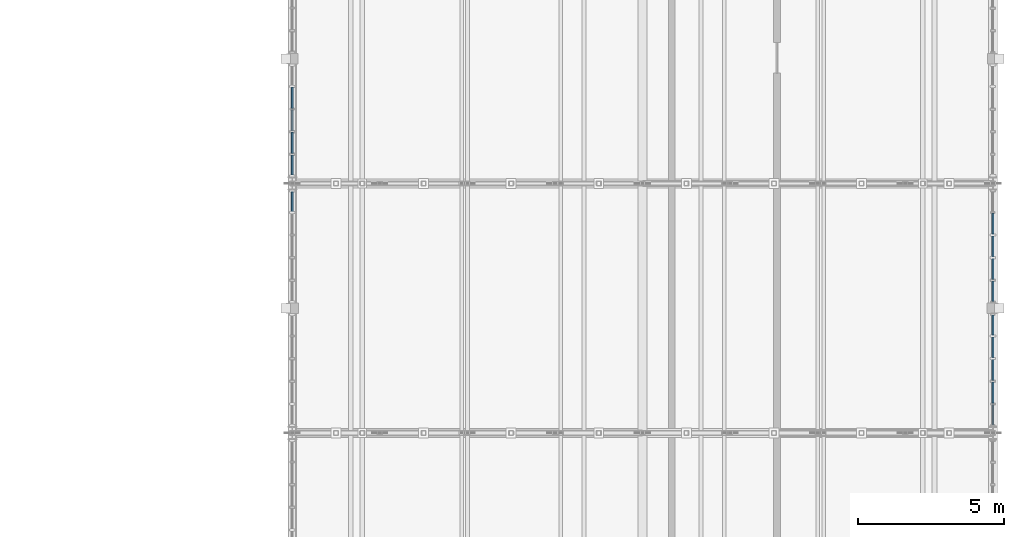
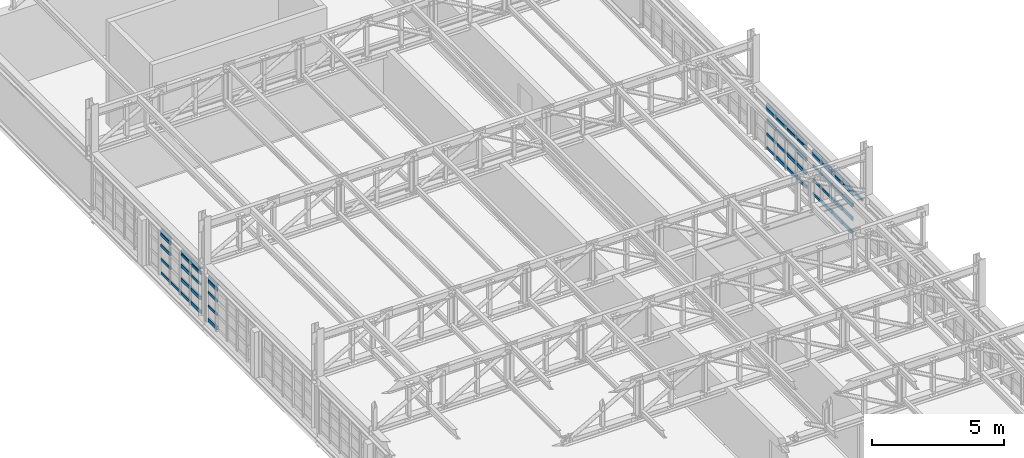
# One storey, part 81 of 128: 62 members, 4 elements without a shape of their own.
"""IFC4 building model written with IfcOpenShell, lengths in metres."""

from ifc_helpers import new_model, si_unit, direction, frame, origin, origin_2d, place, context, subcontext, project, spatial, rectangle, extrude, material, material_profile, profile_set, type_object, element, aggregate, save


model = new_model("IFC4")

# Units and contexts
model_context = context("Model", 3, precision=1e-05, world=origin(), true_north=direction((0.0, 1.0)))
body_context = subcontext(model_context, "Body", "Model", "MODEL_VIEW")
ifc_project = project(units=[si_unit("LENGTHUNIT", "METRE"), si_unit("AREAUNIT", "SQUARE_METRE"), si_unit("VOLUMEUNIT", "CUBIC_METRE"), si_unit("PLANEANGLEUNIT", "RADIAN"), si_unit("MASSUNIT", "GRAM", prefix="KILO")], contexts=[model_context])

# Site, building, storey
site_placement = place(None, origin())
site = spatial("IfcSite", under=ifc_project, at=site_placement, CompositionType="ELEMENT")
building_placement = place(site_placement, origin())
building = spatial("IfcBuilding", under=site, at=building_placement, Name="Serraforn Aerial Cableway Station", CompositionType="ELEMENT")
storey_placement = place(building_placement, frame((0.0, 0.0, 9.0)))
storey = spatial("IfcBuildingStorey", under=building, at=storey_placement, Name="L02", CompositionType="ELEMENT", Elevation=9.0)

# Curtain wall, member
ifc_material_1 = material(Name="Anodised bronze unitised curtain wall")
curtain_wall_type_1 = type_object("IfcCurtainWallType", Name="CW-SYS-7", PredefinedType="USERDEFINED", material=ifc_material_1)
curtain_wall_1_placement = place(storey_placement, origin())
curtain_wall_1 = element("IfcCurtainWall", 1, at=curtain_wall_1_placement, inside=storey, type_object=curtain_wall_type_1, Name="Unitised Curtain Wall CW-EG-L02-W6A", ObjectType="UNITISED CURTAIN WALL", PredefinedType="USERDEFINED")
ifc_material_2 = material(Name="Anodised bronze extruded aluminium", Category="aluminium")
ifc_material_profile_1 = material_profile(ifc_material_2, rectangle(XDim=0.054931640625, YDim=0.110107421875, at=origin_2d()), Name="CW TRANSOM 55x110")
ifc_profile_set_1 = profile_set([ifc_material_profile_1], Name="Anodised bronze extruded aluminium")
member_type_1 = type_object("IfcMemberType", Name="CW-TRN-1", PredefinedType="USERDEFINED", material=ifc_profile_set_1)
member_1_placement = place(storey_placement, frame((144.0, 96.60888671875, 0.720703125), z_axis=(0.0, -1.0, 0.0), x_axis=(1.0, 0.0, 0.0)))
member_1 = element("IfcMember", 2, at=member_1_placement, type_object=member_type_1, Name="Curtain Wall Transom CW-EG-L02-W6A-T1-2", ObjectType="TRANSOM", PredefinedType="USERDEFINED", context=body_context, shape_type="SweptSolid", body=[
    extrude(rectangle(XDim=0.054931640625, YDim=0.110107421875, at=origin_2d()), origin(), (0.0, 0.0, 1.0), 0.6708984375),
])

# Curtain wall, members
curtain_wall_type_2 = type_object("IfcCurtainWallType", Name="CW-SYS-9", PredefinedType="USERDEFINED", material=ifc_material_1)
curtain_wall_2_placement = place(storey_placement, origin())
curtain_wall_2 = element("IfcCurtainWall", 3, at=curtain_wall_2_placement, inside=storey, type_object=curtain_wall_type_2, Name="Unitised Curtain Wall CW-EG-L02-E6A", ObjectType="UNITISED CURTAIN WALL", PredefinedType="USERDEFINED")
member_2_placement = place(storey_placement, frame((168.0, 88.6259765625, 2.03515625), z_axis=(0.0, 1.0, 0.0), x_axis=(-1.0, 0.0, 0.0)))
member_2 = element("IfcMember", 4, at=member_2_placement, type_object=member_type_1, Name="Curtain Wall Transom CW-EG-L02-E6A-T1-5", ObjectType="TRANSOM", PredefinedType="USERDEFINED", context=body_context, shape_type="SweptSolid", body=[
    extrude(rectangle(XDim=0.054931640625, YDim=0.110107421875, at=origin_2d()), origin(), (0.0, 0.0, 1.0), 0.693359375),
])
member_3_placement = place(storey_placement, frame((168.0, 89.37548828125, 1.865478515625), z_axis=(0.0, 1.0, 0.0), x_axis=(-1.0, 0.0, 0.0)))
member_3 = element("IfcMember", 5, at=member_3_placement, type_object=member_type_1, Name="Curtain Wall Transom CW-EG-L02-E6A-T2-4", ObjectType="TRANSOM", PredefinedType="USERDEFINED", context=body_context, shape_type="SweptSolid", body=[
    extrude(rectangle(XDim=0.054931640625, YDim=0.110107421875, at=origin_2d()), origin(), (0.0, 0.0, 1.0), 0.7158203125),
])
member_4_placement = place(storey_placement, frame((168.0, 90.15234375, 1.356689453125), z_axis=(0.0, 1.0, 0.0), x_axis=(-1.0, 0.0, 0.0)))
member_4 = element("IfcMember", 6, at=member_4_placement, type_object=member_type_1, Name="Curtain Wall Transom CW-EG-L02-E6A-T3-3", ObjectType="TRANSOM", PredefinedType="USERDEFINED", context=body_context, shape_type="SweptSolid", body=[
    extrude(rectangle(XDim=0.054931640625, YDim=0.110107421875, at=origin_2d()), origin(), (0.0, 0.0, 1.0), 0.7109375),
])
member_5_placement = place(storey_placement, frame((168.0, 90.92919921875, 0.720703125), z_axis=(0.0, 1.0, 0.0), x_axis=(-1.0, 0.0, 0.0)))
member_5 = element("IfcMember", 7, at=member_5_placement, type_object=member_type_1, Name="Curtain Wall Transom CW-EG-L02-E6A-T4-2", ObjectType="TRANSOM", PredefinedType="USERDEFINED", context=body_context, shape_type="SweptSolid", body=[
    extrude(rectangle(XDim=0.054931640625, YDim=0.110107421875, at=origin_2d()), origin(), (0.0, 0.0, 1.0), 0.705810546875),
])
member_6_placement = place(storey_placement, frame((168.0, 91.7060546875, 0.084716796875), z_axis=(0.0, 1.0, 0.0), x_axis=(-1.0, 0.0, 0.0)))
member_6 = element("IfcMember", 8, at=member_6_placement, type_object=member_type_1, Name="Curtain Wall Transom CW-EG-L02-E6A-T5-1", ObjectType="TRANSOM", PredefinedType="USERDEFINED", context=body_context, shape_type="SweptSolid", body=[
    extrude(rectangle(XDim=0.054931640625, YDim=0.110107421875, at=origin_2d()), origin(), (0.0, 0.0, 1.0), 0.68603515625),
])

curtain_wall_type_3 = type_object("IfcCurtainWallType", Name="CW-SYS-10", PredefinedType="USERDEFINED", material=ifc_material_1)
curtain_wall_3_placement = place(storey_placement, origin())
curtain_wall_3 = element("IfcCurtainWall", 9, at=curtain_wall_3_placement, inside=storey, type_object=curtain_wall_type_3, Name="Unitised Curtain Wall CW-EG-L02-E6B", ObjectType="UNITISED CURTAIN WALL", PredefinedType="USERDEFINED")
member_7_placement = place(storey_placement, frame((168.0, 92.863037109375, 1.865478515625), z_axis=(0.0, 1.0, 0.0), x_axis=(-1.0, 0.0, 0.0)))
member_7 = element("IfcMember", 10, at=member_7_placement, type_object=member_type_1, Name="Curtain Wall Transom CW-EG-L02-E6B-T1-4", ObjectType="TRANSOM", PredefinedType="USERDEFINED", context=body_context, shape_type="SweptSolid", body=[
    extrude(rectangle(XDim=0.054931640625, YDim=0.110107421875, at=origin_2d()), origin(), (0.0, 0.0, 1.0), 0.685791015625),
])
member_8_placement = place(storey_placement, frame((168.0, 93.60986328125, 1.356689453125), z_axis=(0.0, 1.0, 0.0), x_axis=(-1.0, 0.0, 0.0)))
member_8 = element("IfcMember", 11, at=member_8_placement, type_object=member_type_1, Name="Curtain Wall Transom CW-EG-L02-E6B-T2-3", ObjectType="TRANSOM", PredefinedType="USERDEFINED", context=body_context, shape_type="SweptSolid", body=[
    extrude(rectangle(XDim=0.054931640625, YDim=0.110107421875, at=origin_2d()), origin(), (0.0, 0.0, 1.0), 0.7109375),
])
member_9_placement = place(storey_placement, frame((168.0, 94.38671875, 0.720703125), z_axis=(0.0, 1.0, 0.0), x_axis=(-1.0, 0.0, 0.0)))
member_9 = element("IfcMember", 12, at=member_9_placement, type_object=member_type_1, Name="Curtain Wall Transom CW-EG-L02-E6B-T3-2", ObjectType="TRANSOM", PredefinedType="USERDEFINED", context=body_context, shape_type="SweptSolid", body=[
    extrude(rectangle(XDim=0.054931640625, YDim=0.110107421875, at=origin_2d()), origin(), (0.0, 0.0, 1.0), 0.7060546875),
])
member_10_placement = place(storey_placement, frame((168.0, 95.163818359375, 0.084716796875), z_axis=(0.0, 1.0, 0.0), x_axis=(-1.0, 0.0, 0.0)))
member_10 = element("IfcMember", 13, at=member_10_placement, type_object=member_type_1, Name="Curtain Wall Transom CW-EG-L02-E6B-T4-1", ObjectType="TRANSOM", PredefinedType="USERDEFINED", context=body_context, shape_type="SweptSolid", body=[
    extrude(rectangle(XDim=0.054931640625, YDim=0.110107421875, at=origin_2d()), origin(), (0.0, 0.0, 1.0), 0.71337890625),
])

curtain_wall_type_4 = type_object("IfcCurtainWallType", Name="CW-SYS-12", PredefinedType="USERDEFINED", material=ifc_material_1)
curtain_wall_4_placement = place(storey_placement, origin())
curtain_wall_4 = element("IfcCurtainWall", 14, at=curtain_wall_4_placement, inside=storey, type_object=curtain_wall_type_4, Name="Unitised Curtain Wall CW-EG-L02-W7B", ObjectType="UNITISED CURTAIN WALL", PredefinedType="USERDEFINED")
member_11_placement = place(storey_placement, frame((144.0, 100.18505859375, 0.084716796875), z_axis=(0.0, -1.0, 0.0), x_axis=(1.0, 0.0, 0.0)))
member_11 = element("IfcMember", 15, at=member_11_placement, type_object=member_type_1, Name="Curtain Wall Transom CW-EG-L02-W7B-T2-1", ObjectType="TRANSOM", PredefinedType="USERDEFINED", context=body_context, shape_type="SweptSolid", body=[
    extrude(rectangle(XDim=0.054931640625, YDim=0.110107421875, at=origin_2d()), origin(), (0.0, 0.0, 1.0), 0.71337890625),
])
member_12_placement = place(storey_placement, frame((144.0, 98.643798828125, 1.865478515625), z_axis=(0.0, -1.0, 0.0), x_axis=(1.0, 0.0, 0.0)))
member_12 = element("IfcMember", 16, at=member_12_placement, type_object=member_type_1, Name="Curtain Wall Transom CW-EG-L02-W7B-T4-4", ObjectType="TRANSOM", PredefinedType="USERDEFINED", context=body_context, shape_type="SweptSolid", body=[
    extrude(rectangle(XDim=0.054931640625, YDim=0.110107421875, at=origin_2d()), origin(), (0.0, 0.0, 1.0), 0.7158203125),
])
member_13_placement = place(storey_placement, frame((144.0, 97.866943359375, 1.356689453125), z_axis=(0.0, -1.0, 0.0), x_axis=(1.0, 0.0, 0.0)))
member_13 = element("IfcMember", 17, at=member_13_placement, type_object=member_type_1, Name="Curtain Wall Transom CW-EG-L02-W7B-T5-3", ObjectType="TRANSOM", PredefinedType="USERDEFINED", context=body_context, shape_type="SweptSolid", body=[
    extrude(rectangle(XDim=0.054931640625, YDim=0.110107421875, at=origin_2d()), origin(), (0.0, 0.0, 1.0), 0.676025390625),
])

# Member
ifc_material_profile_2 = material_profile(ifc_material_2, rectangle(XDim=0.06005859375, YDim=0.1201171875, at=origin_2d()), Name="CW TRANSOM 60x120")
ifc_profile_set_2 = profile_set([ifc_material_profile_2], Name="Anodised bronze extruded aluminium")
member_type_2 = type_object("IfcMemberType", Name="CW-TRN-2", PredefinedType="USERDEFINED", material=ifc_profile_set_2)
member_14_placement = place(storey_placement, frame((144.0, 96.60888671875, 1.356689453125), z_axis=(0.0, -1.0, 0.0), x_axis=(1.0, 0.0, 0.0)))
member_14 = element("IfcMember", 18, at=member_14_placement, type_object=member_type_2, Name="Curtain Wall Transom CW-EG-L02-W6A-T1-3", ObjectType="TRANSOM", PredefinedType="USERDEFINED", context=body_context, shape_type="SweptSolid", body=[
    extrude(rectangle(XDim=0.06005859375, YDim=0.1201171875, at=origin_2d()), origin(), (0.0, 0.0, 1.0), 0.6708984375),
])

member_15_placement = place(storey_placement, frame((168.0, 89.37548828125, 2.03515625), z_axis=(0.0, 1.0, 0.0), x_axis=(-1.0, 0.0, 0.0)))
member_15 = element("IfcMember", 19, at=member_15_placement, type_object=member_type_2, Name="Curtain Wall Transom CW-EG-L02-E6A-T2-5", ObjectType="TRANSOM", PredefinedType="USERDEFINED", context=body_context, shape_type="SweptSolid", body=[
    extrude(rectangle(XDim=0.06005859375, YDim=0.1201171875, at=origin_2d()), origin(), (0.0, 0.0, 1.0), 0.7158203125),
])

member_16_placement = place(storey_placement, frame((168.0, 90.15234375, 1.865478515625), z_axis=(0.0, 1.0, 0.0), x_axis=(-1.0, 0.0, 0.0)))
member_16 = element("IfcMember", 20, at=member_16_placement, type_object=member_type_2, Name="Curtain Wall Transom CW-EG-L02-E6A-T3-4", ObjectType="TRANSOM", PredefinedType="USERDEFINED", context=body_context, shape_type="SweptSolid", body=[
    extrude(rectangle(XDim=0.06005859375, YDim=0.1201171875, at=origin_2d()), origin(), (0.0, 0.0, 1.0), 0.7109375),
])

member_17_placement = place(storey_placement, frame((168.0, 90.92919921875, 1.356689453125), z_axis=(0.0, 1.0, 0.0), x_axis=(-1.0, 0.0, 0.0)))
member_17 = element("IfcMember", 21, at=member_17_placement, type_object=member_type_2, Name="Curtain Wall Transom CW-EG-L02-E6A-T4-3", ObjectType="TRANSOM", PredefinedType="USERDEFINED", context=body_context, shape_type="SweptSolid", body=[
    extrude(rectangle(XDim=0.06005859375, YDim=0.1201171875, at=origin_2d()), origin(), (0.0, 0.0, 1.0), 0.705810546875),
])

member_18_placement = place(storey_placement, frame((168.0, 91.7060546875, 0.720703125), z_axis=(0.0, 1.0, 0.0), x_axis=(-1.0, 0.0, 0.0)))
member_18 = element("IfcMember", 22, at=member_18_placement, type_object=member_type_2, Name="Curtain Wall Transom CW-EG-L02-E6A-T5-2", ObjectType="TRANSOM", PredefinedType="USERDEFINED", context=body_context, shape_type="SweptSolid", body=[
    extrude(rectangle(XDim=0.06005859375, YDim=0.1201171875, at=origin_2d()), origin(), (0.0, 0.0, 1.0), 0.68603515625),
])

member_19_placement = place(storey_placement, frame((168.0, 92.863037109375, 2.03515625), z_axis=(0.0, 1.0, 0.0), x_axis=(-1.0, 0.0, 0.0)))
member_19 = element("IfcMember", 23, at=member_19_placement, type_object=member_type_2, Name="Curtain Wall Transom CW-EG-L02-E6B-T1-5", ObjectType="TRANSOM", PredefinedType="USERDEFINED", context=body_context, shape_type="SweptSolid", body=[
    extrude(rectangle(XDim=0.06005859375, YDim=0.1201171875, at=origin_2d()), origin(), (0.0, 0.0, 1.0), 0.685791015625),
])

member_20_placement = place(storey_placement, frame((168.0, 93.60986328125, 1.865478515625), z_axis=(0.0, 1.0, 0.0), x_axis=(-1.0, 0.0, 0.0)))
member_20 = element("IfcMember", 24, at=member_20_placement, type_object=member_type_2, Name="Curtain Wall Transom CW-EG-L02-E6B-T2-4", ObjectType="TRANSOM", PredefinedType="USERDEFINED", context=body_context, shape_type="SweptSolid", body=[
    extrude(rectangle(XDim=0.06005859375, YDim=0.1201171875, at=origin_2d()), origin(), (0.0, 0.0, 1.0), 0.7109375),
])

member_21_placement = place(storey_placement, frame((168.0, 94.38671875, 1.356689453125), z_axis=(0.0, 1.0, 0.0), x_axis=(-1.0, 0.0, 0.0)))
member_21 = element("IfcMember", 25, at=member_21_placement, type_object=member_type_2, Name="Curtain Wall Transom CW-EG-L02-E6B-T3-3", ObjectType="TRANSOM", PredefinedType="USERDEFINED", context=body_context, shape_type="SweptSolid", body=[
    extrude(rectangle(XDim=0.06005859375, YDim=0.1201171875, at=origin_2d()), origin(), (0.0, 0.0, 1.0), 0.7060546875),
])

member_22_placement = place(storey_placement, frame((168.0, 95.163818359375, 0.720703125), z_axis=(0.0, 1.0, 0.0), x_axis=(-1.0, 0.0, 0.0)))
member_22 = element("IfcMember", 26, at=member_22_placement, type_object=member_type_2, Name="Curtain Wall Transom CW-EG-L02-E6B-T4-2", ObjectType="TRANSOM", PredefinedType="USERDEFINED", context=body_context, shape_type="SweptSolid", body=[
    extrude(rectangle(XDim=0.06005859375, YDim=0.1201171875, at=origin_2d()), origin(), (0.0, 0.0, 1.0), 0.71337890625),
])

member_23_placement = place(storey_placement, frame((144.0, 100.18505859375, 0.720703125), z_axis=(0.0, -1.0, 0.0), x_axis=(1.0, 0.0, 0.0)))
member_23 = element("IfcMember", 27, at=member_23_placement, type_object=member_type_2, Name="Curtain Wall Transom CW-EG-L02-W7B-T2-2", ObjectType="TRANSOM", PredefinedType="USERDEFINED", context=body_context, shape_type="SweptSolid", body=[
    extrude(rectangle(XDim=0.06005859375, YDim=0.1201171875, at=origin_2d()), origin(), (0.0, 0.0, 1.0), 0.71337890625),
])

member_24_placement = place(storey_placement, frame((144.0, 99.420654296875, 0.084716796875), z_axis=(0.0, -1.0, 0.0), x_axis=(1.0, 0.0, 0.0)))
member_24 = element("IfcMember", 28, at=member_24_placement, type_object=member_type_2, Name="Curtain Wall Transom CW-EG-L02-W7B-T3-1", ObjectType="TRANSOM", PredefinedType="USERDEFINED", context=body_context, shape_type="SweptSolid", body=[
    extrude(rectangle(XDim=0.06005859375, YDim=0.1201171875, at=origin_2d()), origin(), (0.0, 0.0, 1.0), 0.720947265625),
])

member_25_placement = place(storey_placement, frame((144.0, 98.643798828125, 2.03515625), z_axis=(0.0, -1.0, 0.0), x_axis=(1.0, 0.0, 0.0)))
member_25 = element("IfcMember", 29, at=member_25_placement, type_object=member_type_2, Name="Curtain Wall Transom CW-EG-L02-W7B-T4-5", ObjectType="TRANSOM", PredefinedType="USERDEFINED", context=body_context, shape_type="SweptSolid", body=[
    extrude(rectangle(XDim=0.06005859375, YDim=0.1201171875, at=origin_2d()), origin(), (0.0, 0.0, 1.0), 0.7158203125),
])

member_26_placement = place(storey_placement, frame((144.0, 97.866943359375, 1.865478515625), z_axis=(0.0, -1.0, 0.0), x_axis=(1.0, 0.0, 0.0)))
member_26 = element("IfcMember", 30, at=member_26_placement, type_object=member_type_2, Name="Curtain Wall Transom CW-EG-L02-W7B-T5-4", ObjectType="TRANSOM", PredefinedType="USERDEFINED", context=body_context, shape_type="SweptSolid", body=[
    extrude(rectangle(XDim=0.06005859375, YDim=0.1201171875, at=origin_2d()), origin(), (0.0, 0.0, 1.0), 0.676025390625),
])

ifc_material_profile_3 = material_profile(ifc_material_2, rectangle(XDim=0.06494140625, YDim=0.135009765625, at=origin_2d()), Name="CW TRANSOM 65x135")
ifc_profile_set_3 = profile_set([ifc_material_profile_3], Name="Anodised bronze extruded aluminium")
member_type_3 = type_object("IfcMemberType", Name="CW-TRN-3", PredefinedType="USERDEFINED", material=ifc_profile_set_3)
member_27_placement = place(storey_placement, frame((144.0, 96.60888671875, 1.865478515625), z_axis=(0.0, -1.0, 0.0), x_axis=(1.0, 0.0, 0.0)))
member_27 = element("IfcMember", 31, at=member_27_placement, type_object=member_type_3, Name="Curtain Wall Transom CW-EG-L02-W6A-T1-4", ObjectType="TRANSOM", PredefinedType="USERDEFINED", context=body_context, shape_type="SweptSolid", body=[
    extrude(rectangle(XDim=0.06494140625, YDim=0.135009765625, at=origin_2d()), origin(), (0.0, 0.0, 1.0), 0.6708984375),
])

member_28_placement = place(storey_placement, frame((168.0, 89.37548828125, 0.084716796875), z_axis=(0.0, 1.0, 0.0), x_axis=(-1.0, 0.0, 0.0)))
member_28 = element("IfcMember", 32, at=member_28_placement, type_object=member_type_3, Name="Curtain Wall Transom CW-EG-L02-E6A-T2-1", ObjectType="TRANSOM", PredefinedType="USERDEFINED", context=body_context, shape_type="SweptSolid", body=[
    extrude(rectangle(XDim=0.06494140625, YDim=0.135009765625, at=origin_2d()), origin(), (0.0, 0.0, 1.0), 0.7158203125),
])

member_29_placement = place(storey_placement, frame((168.0, 90.15234375, 2.03515625), z_axis=(0.0, 1.0, 0.0), x_axis=(-1.0, 0.0, 0.0)))
member_29 = element("IfcMember", 33, at=member_29_placement, type_object=member_type_3, Name="Curtain Wall Transom CW-EG-L02-E6A-T3-5", ObjectType="TRANSOM", PredefinedType="USERDEFINED", context=body_context, shape_type="SweptSolid", body=[
    extrude(rectangle(XDim=0.06494140625, YDim=0.135009765625, at=origin_2d()), origin(), (0.0, 0.0, 1.0), 0.7109375),
])

member_30_placement = place(storey_placement, frame((168.0, 90.92919921875, 1.865478515625), z_axis=(0.0, 1.0, 0.0), x_axis=(-1.0, 0.0, 0.0)))
member_30 = element("IfcMember", 34, at=member_30_placement, type_object=member_type_3, Name="Curtain Wall Transom CW-EG-L02-E6A-T4-4", ObjectType="TRANSOM", PredefinedType="USERDEFINED", context=body_context, shape_type="SweptSolid", body=[
    extrude(rectangle(XDim=0.06494140625, YDim=0.135009765625, at=origin_2d()), origin(), (0.0, 0.0, 1.0), 0.705810546875),
])

member_31_placement = place(storey_placement, frame((168.0, 91.7060546875, 1.356689453125), z_axis=(0.0, 1.0, 0.0), x_axis=(-1.0, 0.0, 0.0)))
member_31 = element("IfcMember", 35, at=member_31_placement, type_object=member_type_3, Name="Curtain Wall Transom CW-EG-L02-E6A-T5-3", ObjectType="TRANSOM", PredefinedType="USERDEFINED", context=body_context, shape_type="SweptSolid", body=[
    extrude(rectangle(XDim=0.06494140625, YDim=0.135009765625, at=origin_2d()), origin(), (0.0, 0.0, 1.0), 0.68603515625),
])

member_32_placement = place(storey_placement, frame((168.0, 92.863037109375, 0.084716796875), z_axis=(0.0, 1.0, 0.0), x_axis=(-1.0, 0.0, 0.0)))
member_32 = element("IfcMember", 36, at=member_32_placement, type_object=member_type_3, Name="Curtain Wall Transom CW-EG-L02-E6B-T1-1", ObjectType="TRANSOM", PredefinedType="USERDEFINED", context=body_context, shape_type="SweptSolid", body=[
    extrude(rectangle(XDim=0.06494140625, YDim=0.135009765625, at=origin_2d()), origin(), (0.0, 0.0, 1.0), 0.685791015625),
])

member_33_placement = place(storey_placement, frame((168.0, 93.60986328125, 2.03515625), z_axis=(0.0, 1.0, 0.0), x_axis=(-1.0, 0.0, 0.0)))
member_33 = element("IfcMember", 37, at=member_33_placement, type_object=member_type_3, Name="Curtain Wall Transom CW-EG-L02-E6B-T2-5", ObjectType="TRANSOM", PredefinedType="USERDEFINED", context=body_context, shape_type="SweptSolid", body=[
    extrude(rectangle(XDim=0.06494140625, YDim=0.135009765625, at=origin_2d()), origin(), (0.0, 0.0, 1.0), 0.7109375),
])

member_34_placement = place(storey_placement, frame((168.0, 94.38671875, 1.865478515625), z_axis=(0.0, 1.0, 0.0), x_axis=(-1.0, 0.0, 0.0)))
member_34 = element("IfcMember", 38, at=member_34_placement, type_object=member_type_3, Name="Curtain Wall Transom CW-EG-L02-E6B-T3-4", ObjectType="TRANSOM", PredefinedType="USERDEFINED", context=body_context, shape_type="SweptSolid", body=[
    extrude(rectangle(XDim=0.06494140625, YDim=0.135009765625, at=origin_2d()), origin(), (0.0, 0.0, 1.0), 0.7060546875),
])

member_35_placement = place(storey_placement, frame((168.0, 95.163818359375, 1.356689453125), z_axis=(0.0, 1.0, 0.0), x_axis=(-1.0, 0.0, 0.0)))
member_35 = element("IfcMember", 39, at=member_35_placement, type_object=member_type_3, Name="Curtain Wall Transom CW-EG-L02-E6B-T4-3", ObjectType="TRANSOM", PredefinedType="USERDEFINED", context=body_context, shape_type="SweptSolid", body=[
    extrude(rectangle(XDim=0.06494140625, YDim=0.135009765625, at=origin_2d()), origin(), (0.0, 0.0, 1.0), 0.71337890625),
])

member_36_placement = place(storey_placement, frame((144.0, 100.18505859375, 1.356689453125), z_axis=(0.0, -1.0, 0.0), x_axis=(1.0, 0.0, 0.0)))
member_36 = element("IfcMember", 40, at=member_36_placement, type_object=member_type_3, Name="Curtain Wall Transom CW-EG-L02-W7B-T2-3", ObjectType="TRANSOM", PredefinedType="USERDEFINED", context=body_context, shape_type="SweptSolid", body=[
    extrude(rectangle(XDim=0.06494140625, YDim=0.135009765625, at=origin_2d()), origin(), (0.0, 0.0, 1.0), 0.71337890625),
])

member_37_placement = place(storey_placement, frame((144.0, 98.643798828125, 0.084716796875), z_axis=(0.0, -1.0, 0.0), x_axis=(1.0, 0.0, 0.0)))
member_37 = element("IfcMember", 41, at=member_37_placement, type_object=member_type_3, Name="Curtain Wall Transom CW-EG-L02-W7B-T4-1", ObjectType="TRANSOM", PredefinedType="USERDEFINED", context=body_context, shape_type="SweptSolid", body=[
    extrude(rectangle(XDim=0.06494140625, YDim=0.135009765625, at=origin_2d()), origin(), (0.0, 0.0, 1.0), 0.7158203125),
])

member_38_placement = place(storey_placement, frame((144.0, 97.866943359375, 2.03515625), z_axis=(0.0, -1.0, 0.0), x_axis=(1.0, 0.0, 0.0)))
member_38 = element("IfcMember", 42, at=member_38_placement, type_object=member_type_3, Name="Curtain Wall Transom CW-EG-L02-W7B-T5-5", ObjectType="TRANSOM", PredefinedType="USERDEFINED", context=body_context, shape_type="SweptSolid", body=[
    extrude(rectangle(XDim=0.06494140625, YDim=0.135009765625, at=origin_2d()), origin(), (0.0, 0.0, 1.0), 0.676025390625),
])

ifc_material_profile_4 = material_profile(ifc_material_2, rectangle(XDim=0.070068359375, YDim=0.14990234375, at=origin_2d()), Name="CW TRANSOM 70x150")
ifc_profile_set_4 = profile_set([ifc_material_profile_4], Name="Anodised bronze extruded aluminium")
member_type_4 = type_object("IfcMemberType", Name="CW-TRN-4", PredefinedType="USERDEFINED", material=ifc_profile_set_4)
member_39_placement = place(storey_placement, frame((144.0, 96.60888671875, 2.03515625), z_axis=(0.0, -1.0, 0.0), x_axis=(1.0, 0.0, 0.0)))
member_39 = element("IfcMember", 43, at=member_39_placement, type_object=member_type_4, Name="Curtain Wall Transom CW-EG-L02-W6A-T1-5", ObjectType="TRANSOM", PredefinedType="USERDEFINED", context=body_context, shape_type="SweptSolid", body=[
    extrude(rectangle(XDim=0.070068359375, YDim=0.14990234375, at=origin_2d()), origin(), (0.0, 0.0, 1.0), 0.6708984375),
])

member_40_placement = place(storey_placement, frame((168.0, 89.37548828125, 0.720703125), z_axis=(0.0, 1.0, 0.0), x_axis=(-1.0, 0.0, 0.0)))
member_40 = element("IfcMember", 44, at=member_40_placement, type_object=member_type_4, Name="Curtain Wall Transom CW-EG-L02-E6A-T2-2", ObjectType="TRANSOM", PredefinedType="USERDEFINED", context=body_context, shape_type="SweptSolid", body=[
    extrude(rectangle(XDim=0.070068359375, YDim=0.14990234375, at=origin_2d()), origin(), (0.0, 0.0, 1.0), 0.7158203125),
])

member_41_placement = place(storey_placement, frame((168.0, 90.15234375, 0.084716796875), z_axis=(0.0, 1.0, 0.0), x_axis=(-1.0, 0.0, 0.0)))
member_41 = element("IfcMember", 45, at=member_41_placement, type_object=member_type_4, Name="Curtain Wall Transom CW-EG-L02-E6A-T3-1", ObjectType="TRANSOM", PredefinedType="USERDEFINED", context=body_context, shape_type="SweptSolid", body=[
    extrude(rectangle(XDim=0.070068359375, YDim=0.14990234375, at=origin_2d()), origin(), (0.0, 0.0, 1.0), 0.7109375),
])

member_42_placement = place(storey_placement, frame((168.0, 90.92919921875, 2.03515625), z_axis=(0.0, 1.0, 0.0), x_axis=(-1.0, 0.0, 0.0)))
member_42 = element("IfcMember", 46, at=member_42_placement, type_object=member_type_4, Name="Curtain Wall Transom CW-EG-L02-E6A-T4-5", ObjectType="TRANSOM", PredefinedType="USERDEFINED", context=body_context, shape_type="SweptSolid", body=[
    extrude(rectangle(XDim=0.070068359375, YDim=0.14990234375, at=origin_2d()), origin(), (0.0, 0.0, 1.0), 0.705810546875),
])

member_43_placement = place(storey_placement, frame((168.0, 91.7060546875, 1.865478515625), z_axis=(0.0, 1.0, 0.0), x_axis=(-1.0, 0.0, 0.0)))
member_43 = element("IfcMember", 47, at=member_43_placement, type_object=member_type_4, Name="Curtain Wall Transom CW-EG-L02-E6A-T5-4", ObjectType="TRANSOM", PredefinedType="USERDEFINED", context=body_context, shape_type="SweptSolid", body=[
    extrude(rectangle(XDim=0.070068359375, YDim=0.14990234375, at=origin_2d()), origin(), (0.0, 0.0, 1.0), 0.68603515625),
])

member_44_placement = place(storey_placement, frame((168.0, 92.863037109375, 0.720703125), z_axis=(0.0, 1.0, 0.0), x_axis=(-1.0, 0.0, 0.0)))
member_44 = element("IfcMember", 48, at=member_44_placement, type_object=member_type_4, Name="Curtain Wall Transom CW-EG-L02-E6B-T1-2", ObjectType="TRANSOM", PredefinedType="USERDEFINED", context=body_context, shape_type="SweptSolid", body=[
    extrude(rectangle(XDim=0.070068359375, YDim=0.14990234375, at=origin_2d()), origin(), (0.0, 0.0, 1.0), 0.685791015625),
])

member_45_placement = place(storey_placement, frame((168.0, 93.60986328125, 0.084716796875), z_axis=(0.0, 1.0, 0.0), x_axis=(-1.0, 0.0, 0.0)))
member_45 = element("IfcMember", 49, at=member_45_placement, type_object=member_type_4, Name="Curtain Wall Transom CW-EG-L02-E6B-T2-1", ObjectType="TRANSOM", PredefinedType="USERDEFINED", context=body_context, shape_type="SweptSolid", body=[
    extrude(rectangle(XDim=0.070068359375, YDim=0.14990234375, at=origin_2d()), origin(), (0.0, 0.0, 1.0), 0.7109375),
])

member_46_placement = place(storey_placement, frame((168.0, 94.38671875, 2.03515625), z_axis=(0.0, 1.0, 0.0), x_axis=(-1.0, 0.0, 0.0)))
member_46 = element("IfcMember", 50, at=member_46_placement, type_object=member_type_4, Name="Curtain Wall Transom CW-EG-L02-E6B-T3-5", ObjectType="TRANSOM", PredefinedType="USERDEFINED", context=body_context, shape_type="SweptSolid", body=[
    extrude(rectangle(XDim=0.070068359375, YDim=0.14990234375, at=origin_2d()), origin(), (0.0, 0.0, 1.0), 0.7060546875),
])

member_47_placement = place(storey_placement, frame((168.0, 95.163818359375, 1.865478515625), z_axis=(0.0, 1.0, 0.0), x_axis=(-1.0, 0.0, 0.0)))
member_47 = element("IfcMember", 51, at=member_47_placement, type_object=member_type_4, Name="Curtain Wall Transom CW-EG-L02-E6B-T4-4", ObjectType="TRANSOM", PredefinedType="USERDEFINED", context=body_context, shape_type="SweptSolid", body=[
    extrude(rectangle(XDim=0.070068359375, YDim=0.14990234375, at=origin_2d()), origin(), (0.0, 0.0, 1.0), 0.71337890625),
])

member_48_placement = place(storey_placement, frame((144.0, 100.18505859375, 1.865478515625), z_axis=(0.0, -1.0, 0.0), x_axis=(1.0, 0.0, 0.0)))
member_48 = element("IfcMember", 52, at=member_48_placement, type_object=member_type_4, Name="Curtain Wall Transom CW-EG-L02-W7B-T2-4", ObjectType="TRANSOM", PredefinedType="USERDEFINED", context=body_context, shape_type="SweptSolid", body=[
    extrude(rectangle(XDim=0.070068359375, YDim=0.14990234375, at=origin_2d()), origin(), (0.0, 0.0, 1.0), 0.71337890625),
])

member_49_placement = place(storey_placement, frame((144.0, 98.643798828125, 0.720703125), z_axis=(0.0, -1.0, 0.0), x_axis=(1.0, 0.0, 0.0)))
member_49 = element("IfcMember", 53, at=member_49_placement, type_object=member_type_4, Name="Curtain Wall Transom CW-EG-L02-W7B-T4-2", ObjectType="TRANSOM", PredefinedType="USERDEFINED", context=body_context, shape_type="SweptSolid", body=[
    extrude(rectangle(XDim=0.070068359375, YDim=0.14990234375, at=origin_2d()), origin(), (0.0, 0.0, 1.0), 0.7158203125),
])

member_50_placement = place(storey_placement, frame((144.0, 97.866943359375, 0.084716796875), z_axis=(0.0, -1.0, 0.0), x_axis=(1.0, 0.0, 0.0)))
member_50 = element("IfcMember", 54, at=member_50_placement, type_object=member_type_4, Name="Curtain Wall Transom CW-EG-L02-W7B-T5-1", ObjectType="TRANSOM", PredefinedType="USERDEFINED", context=body_context, shape_type="SweptSolid", body=[
    extrude(rectangle(XDim=0.070068359375, YDim=0.14990234375, at=origin_2d()), origin(), (0.0, 0.0, 1.0), 0.676025390625),
])

ifc_material_profile_5 = material_profile(ifc_material_2, rectangle(XDim=0.074951171875, YDim=0.1650390625, at=origin_2d()), Name="CW TRANSOM 75x165")
ifc_profile_set_5 = profile_set([ifc_material_profile_5], Name="Anodised bronze extruded aluminium")
member_type_5 = type_object("IfcMemberType", Name="CW-TRN-5", PredefinedType="USERDEFINED", material=ifc_profile_set_5)
member_51_placement = place(storey_placement, frame((144.0, 96.60888671875, 0.084716796875), z_axis=(0.0, -1.0, 0.0), x_axis=(1.0, 0.0, 0.0)))
member_51 = element("IfcMember", 55, at=member_51_placement, type_object=member_type_5, Name="Curtain Wall Transom CW-EG-L02-W6A-T1-1", ObjectType="TRANSOM", PredefinedType="USERDEFINED", context=body_context, shape_type="SweptSolid", body=[
    extrude(rectangle(XDim=0.074951171875, YDim=0.1650390625, at=origin_2d()), origin(), (0.0, 0.0, 1.0), 0.6708984375),
])

aggregate(curtain_wall_1, [member_51, member_1, member_14, member_27, member_39])

member_52_placement = place(storey_placement, frame((168.0, 89.37548828125, 1.356689453125), z_axis=(0.0, 1.0, 0.0), x_axis=(-1.0, 0.0, 0.0)))
member_52 = element("IfcMember", 56, at=member_52_placement, type_object=member_type_5, Name="Curtain Wall Transom CW-EG-L02-E6A-T2-3", ObjectType="TRANSOM", PredefinedType="USERDEFINED", context=body_context, shape_type="SweptSolid", body=[
    extrude(rectangle(XDim=0.074951171875, YDim=0.1650390625, at=origin_2d()), origin(), (0.0, 0.0, 1.0), 0.7158203125),
])

member_53_placement = place(storey_placement, frame((168.0, 90.15234375, 0.720703125), z_axis=(0.0, 1.0, 0.0), x_axis=(-1.0, 0.0, 0.0)))
member_53 = element("IfcMember", 57, at=member_53_placement, type_object=member_type_5, Name="Curtain Wall Transom CW-EG-L02-E6A-T3-2", ObjectType="TRANSOM", PredefinedType="USERDEFINED", context=body_context, shape_type="SweptSolid", body=[
    extrude(rectangle(XDim=0.074951171875, YDim=0.1650390625, at=origin_2d()), origin(), (0.0, 0.0, 1.0), 0.7109375),
])

member_54_placement = place(storey_placement, frame((168.0, 90.92919921875, 0.084716796875), z_axis=(0.0, 1.0, 0.0), x_axis=(-1.0, 0.0, 0.0)))
member_54 = element("IfcMember", 58, at=member_54_placement, type_object=member_type_5, Name="Curtain Wall Transom CW-EG-L02-E6A-T4-1", ObjectType="TRANSOM", PredefinedType="USERDEFINED", context=body_context, shape_type="SweptSolid", body=[
    extrude(rectangle(XDim=0.074951171875, YDim=0.1650390625, at=origin_2d()), origin(), (0.0, 0.0, 1.0), 0.705810546875),
])

member_55_placement = place(storey_placement, frame((168.0, 91.7060546875, 2.03515625), z_axis=(0.0, 1.0, 0.0), x_axis=(-1.0, 0.0, 0.0)))
member_55 = element("IfcMember", 59, at=member_55_placement, type_object=member_type_5, Name="Curtain Wall Transom CW-EG-L02-E6A-T5-5", ObjectType="TRANSOM", PredefinedType="USERDEFINED", context=body_context, shape_type="SweptSolid", body=[
    extrude(rectangle(XDim=0.074951171875, YDim=0.1650390625, at=origin_2d()), origin(), (0.0, 0.0, 1.0), 0.68603515625),
])

aggregate(curtain_wall_2, [member_2, member_28, member_40, member_52, member_3, member_15, member_41, member_53, member_4, member_16, member_29, member_54, member_5, member_17, member_30, member_42, member_6, member_18, member_31, member_43, member_55])

member_56_placement = place(storey_placement, frame((168.0, 92.863037109375, 1.356689453125), z_axis=(0.0, 1.0, 0.0), x_axis=(-1.0, 0.0, 0.0)))
member_56 = element("IfcMember", 60, at=member_56_placement, type_object=member_type_5, Name="Curtain Wall Transom CW-EG-L02-E6B-T1-3", ObjectType="TRANSOM", PredefinedType="USERDEFINED", context=body_context, shape_type="SweptSolid", body=[
    extrude(rectangle(XDim=0.074951171875, YDim=0.1650390625, at=origin_2d()), origin(), (0.0, 0.0, 1.0), 0.685791015625),
])

member_57_placement = place(storey_placement, frame((168.0, 93.60986328125, 0.720703125), z_axis=(0.0, 1.0, 0.0), x_axis=(-1.0, 0.0, 0.0)))
member_57 = element("IfcMember", 61, at=member_57_placement, type_object=member_type_5, Name="Curtain Wall Transom CW-EG-L02-E6B-T2-2", ObjectType="TRANSOM", PredefinedType="USERDEFINED", context=body_context, shape_type="SweptSolid", body=[
    extrude(rectangle(XDim=0.074951171875, YDim=0.1650390625, at=origin_2d()), origin(), (0.0, 0.0, 1.0), 0.7109375),
])

member_58_placement = place(storey_placement, frame((168.0, 94.38671875, 0.084716796875), z_axis=(0.0, 1.0, 0.0), x_axis=(-1.0, 0.0, 0.0)))
member_58 = element("IfcMember", 62, at=member_58_placement, type_object=member_type_5, Name="Curtain Wall Transom CW-EG-L02-E6B-T3-1", ObjectType="TRANSOM", PredefinedType="USERDEFINED", context=body_context, shape_type="SweptSolid", body=[
    extrude(rectangle(XDim=0.074951171875, YDim=0.1650390625, at=origin_2d()), origin(), (0.0, 0.0, 1.0), 0.7060546875),
])

member_59_placement = place(storey_placement, frame((168.0, 95.163818359375, 2.03515625), z_axis=(0.0, 1.0, 0.0), x_axis=(-1.0, 0.0, 0.0)))
member_59 = element("IfcMember", 63, at=member_59_placement, type_object=member_type_5, Name="Curtain Wall Transom CW-EG-L02-E6B-T4-5", ObjectType="TRANSOM", PredefinedType="USERDEFINED", context=body_context, shape_type="SweptSolid", body=[
    extrude(rectangle(XDim=0.074951171875, YDim=0.1650390625, at=origin_2d()), origin(), (0.0, 0.0, 1.0), 0.71337890625),
])

aggregate(curtain_wall_3, [member_32, member_44, member_56, member_7, member_19, member_45, member_57, member_8, member_20, member_33, member_58, member_9, member_21, member_34, member_46, member_10, member_22, member_35, member_47, member_59])

member_60_placement = place(storey_placement, frame((144.0, 100.18505859375, 2.03515625), z_axis=(0.0, -1.0, 0.0), x_axis=(1.0, 0.0, 0.0)))
member_60 = element("IfcMember", 64, at=member_60_placement, type_object=member_type_5, Name="Curtain Wall Transom CW-EG-L02-W7B-T2-5", ObjectType="TRANSOM", PredefinedType="USERDEFINED", context=body_context, shape_type="SweptSolid", body=[
    extrude(rectangle(XDim=0.074951171875, YDim=0.1650390625, at=origin_2d()), origin(), (0.0, 0.0, 1.0), 0.71337890625),
])

member_61_placement = place(storey_placement, frame((144.0, 98.643798828125, 1.356689453125), z_axis=(0.0, -1.0, 0.0), x_axis=(1.0, 0.0, 0.0)))
member_61 = element("IfcMember", 65, at=member_61_placement, type_object=member_type_5, Name="Curtain Wall Transom CW-EG-L02-W7B-T4-3", ObjectType="TRANSOM", PredefinedType="USERDEFINED", context=body_context, shape_type="SweptSolid", body=[
    extrude(rectangle(XDim=0.074951171875, YDim=0.1650390625, at=origin_2d()), origin(), (0.0, 0.0, 1.0), 0.7158203125),
])

member_62_placement = place(storey_placement, frame((144.0, 97.866943359375, 0.720703125), z_axis=(0.0, -1.0, 0.0), x_axis=(1.0, 0.0, 0.0)))
member_62 = element("IfcMember", 66, at=member_62_placement, type_object=member_type_5, Name="Curtain Wall Transom CW-EG-L02-W7B-T5-2", ObjectType="TRANSOM", PredefinedType="USERDEFINED", context=body_context, shape_type="SweptSolid", body=[
    extrude(rectangle(XDim=0.074951171875, YDim=0.1650390625, at=origin_2d()), origin(), (0.0, 0.0, 1.0), 0.676025390625),
])

aggregate(curtain_wall_4, [member_11, member_23, member_36, member_48, member_60, member_24, member_37, member_49, member_61, member_12, member_25, member_50, member_62, member_13, member_26, member_38])

save(model, "model.ifc")
